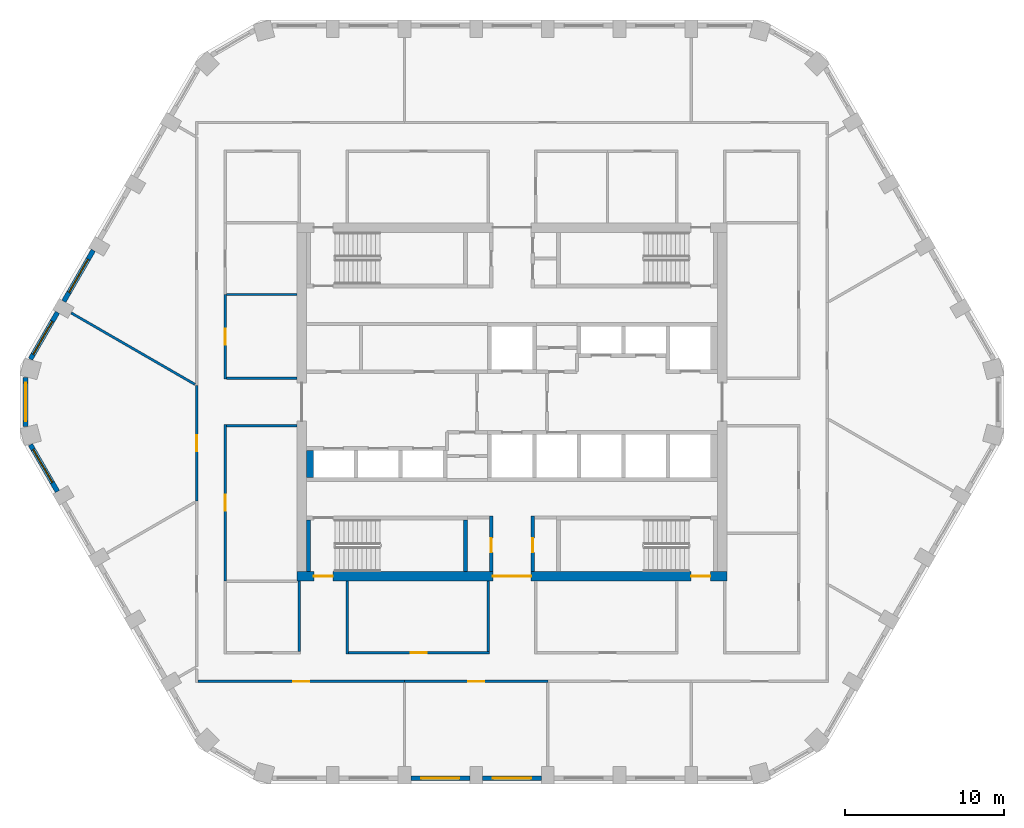
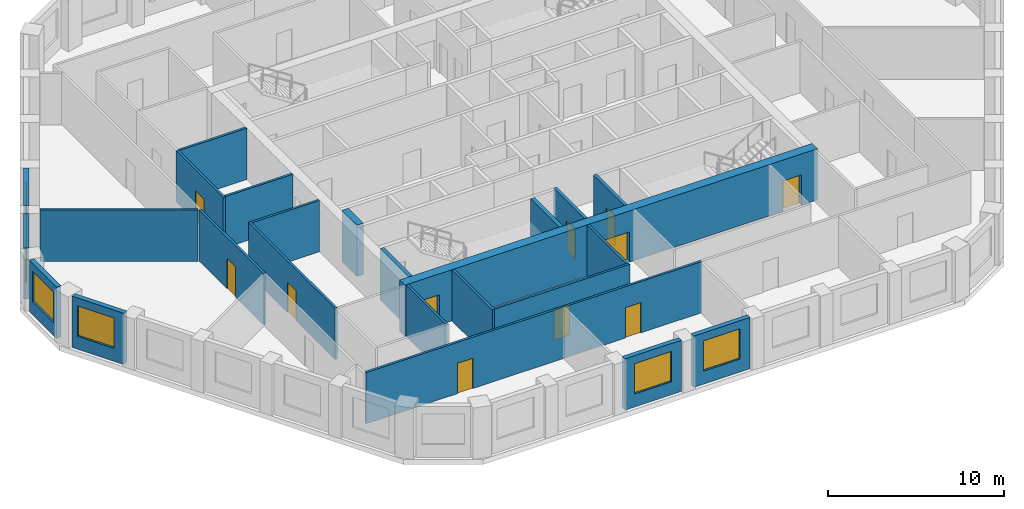
# One storey, part 2 of 9: 25 walls, 11 doors, 6 windows, 17 openings.
"""IFC4 building model written with IfcOpenShell, lengths in metres."""

from ifc_helpers import new_model, si_unit, direction, frame, frame_2d, origin, place, context, subcontext, project, spatial, polyline, rectangle, outline, extrude, material, layer, layer_set, type_object, element, fill, save


model = new_model("IFC4")

# Units and contexts
model_context = context("Model", 3, precision=1e-05, world=origin(), true_north=direction((0.0, 1.0)))
body_context = subcontext(model_context, "Body", "Model", "MODEL_VIEW")
ifc_project = project(units=[si_unit("LENGTHUNIT", "METRE"), si_unit("AREAUNIT", "SQUARE_METRE"), si_unit("VOLUMEUNIT", "CUBIC_METRE"), si_unit("PLANEANGLEUNIT", "RADIAN"), si_unit("MASSUNIT", "GRAM", prefix="KILO")], contexts=[model_context])

# Site, building, storey
site_placement = place(None, origin())
site = spatial("IfcSite", under=ifc_project, at=site_placement, CompositionType="ELEMENT")
building_placement = place(site_placement, origin())
building = spatial("IfcBuilding", under=site, at=building_placement, Name="Dhurran Vertical Campus", CompositionType="ELEMENT")
storey_placement = place(building_placement, frame((0.0, 0.0, 195.60009765625)))
storey = spatial("IfcBuildingStorey", under=building, at=storey_placement, Name="L48", CompositionType="ELEMENT", Elevation=195.60009765625)

# Wall, opening, window
ifc_material_1 = material(Name="Precast concrete C50/60", Category="concrete")
ifc_layer_1 = layer(ifc_material_1, 0.300048828125)
ifc_layer_set_1 = layer_set([ifc_layer_1], Name="Precast concrete C50/60")
wall_type_1 = type_object("IfcWallType", Name="Precast spandrel wall 300", PredefinedType="SOLIDWALL", material=ifc_layer_set_1)
wall_1_placement = place(storey_placement, frame((-6.349609375, -23.635498046875, 0.0), z_axis=(0.0, 0.0, 1.0), x_axis=(1.0, 0.0, 0.0)))
wall_1 = element("IfcWall", 1, at=wall_1_placement, inside=storey, type_object=wall_type_1, Name="EW1 L48.02", PredefinedType="SOLIDWALL", context=body_context, shape_type="SweptSolid", body=[
    extrude(rectangle(XDim=3.69921875, YDim=0.300048828125, at=frame_2d((1.849609375, 0.0))), origin(), (0.0, 0.0, 1.0), 3.5498046875),
])
opening_1_placement = place(wall_1_placement, frame((0.6494140625, 0.0, 0.89990234375)))
opening_1 = element("IfcOpeningElement", 2, at=opening_1_placement, cuts=wall_1, Name="Opening WT1", PredefinedType="OPENING", context=body_context, shape_type="SweptSolid", body=[
    extrude(rectangle(XDim=2.39990234375, YDim=2.10009765625, at=frame_2d((1.199951171875, 1.050048828125))), frame((0.0, 0.159912109375, 0.0), z_axis=(0.0, -1.0, 0.0), x_axis=(1.0, 0.0, 0.0)), (0.0, 0.0, 1.0), 0.320068359375),
])
ifc_material_2 = material(Name="Aluminium frame with solar-control glass", Category="aluminium")
window_type = type_object("IfcWindowType", Name="Punched window 2400 x 2100", PartitioningType="SINGLE_PANEL", PredefinedType="WINDOW", material=ifc_material_2)
window_1_placement = place(opening_1_placement, origin())
window_1 = element("IfcWindow", 3, at=window_1_placement, inside=storey, type_object=window_type, Name="WT1 L48.02", OverallHeight=2.10009765625, OverallWidth=2.39990234375, PartitioningType="SINGLE_PANEL", PredefinedType="WINDOW", context=body_context, shape_type="SweptSolid", body=[
    extrude(rectangle(XDim=2.39990234375, YDim=2.10009765625, at=frame_2d((1.199951171875, 1.050048828125))), frame((0.0, 0.030029296875, 0.0), z_axis=(0.0, -1.0, 0.0), x_axis=(1.0, 0.0, 0.0)), (0.0, 0.0, 1.0), 0.06005859375),
])
fill(opening_1, window_1)

wall_2_placement = place(storey_placement, frame((-1.849609375, -23.635498046875, 0.0), z_axis=(0.0, 0.0, 1.0), x_axis=(1.0, 0.0, 0.0)))
wall_2 = element("IfcWall", 4, at=wall_2_placement, inside=storey, type_object=wall_type_1, Name="EW1 L48.03", PredefinedType="SOLIDWALL", context=body_context, shape_type="SweptSolid", body=[
    extrude(rectangle(XDim=3.69921875, YDim=0.300048828125, at=frame_2d((1.849609375, 0.0))), origin(), (0.0, 0.0, 1.0), 3.5498046875),
])
opening_2_placement = place(wall_2_placement, frame((0.6494140625, 0.0, 0.89990234375)))
opening_2 = element("IfcOpeningElement", 5, at=opening_2_placement, cuts=wall_2, Name="Opening WT1", PredefinedType="OPENING", context=body_context, shape_type="SweptSolid", body=[
    extrude(rectangle(XDim=2.39990234375, YDim=2.10009765625, at=frame_2d((1.199951171875, 1.050048828125))), frame((0.0, 0.159912109375, 0.0), z_axis=(0.0, -1.0, 0.0), x_axis=(1.0, 0.0, 0.0)), (0.0, 0.0, 1.0), 0.320068359375),
])
window_2_placement = place(opening_2_placement, origin())
window_2 = element("IfcWindow", 6, at=window_2_placement, inside=storey, type_object=window_type, Name="WT1 L48.03", OverallHeight=2.10009765625, OverallWidth=2.39990234375, PartitioningType="SINGLE_PANEL", PredefinedType="WINDOW", context=body_context, shape_type="SweptSolid", body=[
    extrude(rectangle(XDim=2.39990234375, YDim=2.10009765625, at=frame_2d((1.199951171875, 1.050048828125))), frame((0.0, 0.030029296875, 0.0), z_axis=(0.0, -1.0, 0.0), x_axis=(1.0, 0.0, 0.0)), (0.0, 0.0, 1.0), 0.06005859375),
])
fill(opening_2, window_2)

wall_3_placement = place(storey_placement, frame((-26.294189453125, 9.5224609375, 0.0), z_axis=(0.0, 0.0, 1.0), x_axis=(-0.500029062817, -0.866008623709, 0.0)))
wall_3 = element("IfcWall", 7, at=wall_3_placement, inside=storey, type_object=wall_type_1, Name="EW1 L48.31", PredefinedType="SOLIDWALL", context=body_context, shape_type="SweptSolid", body=[
    extrude(rectangle(XDim=3.698974609375, YDim=0.300048828125, at=frame_2d((1.849609375, 0.0))), origin(), (0.0, 0.0, 1.0), 3.5498046875),
])
opening_3_placement = place(wall_3_placement, frame((0.6494140625, 0.0, 0.89990234375)))
opening_3 = element("IfcOpeningElement", 8, at=opening_3_placement, cuts=wall_3, Name="Opening WT1", PredefinedType="OPENING", context=body_context, shape_type="SweptSolid", body=[
    extrude(rectangle(XDim=2.39990234375, YDim=2.10009765625, at=frame_2d((1.199951171875, 1.050048828125))), frame((0.0, 0.159912109375, 0.0), z_axis=(0.0, -1.0, 0.0), x_axis=(1.0, 0.0, 0.0)), (0.0, 0.0, 1.0), 0.320068359375),
])
window_3_placement = place(opening_3_placement, origin())
window_3 = element("IfcWindow", 9, at=window_3_placement, inside=storey, type_object=window_type, Name="WT1 L48.31", OverallHeight=2.10009765625, OverallWidth=2.39990234375, PartitioningType="SINGLE_PANEL", PredefinedType="WINDOW", context=body_context, shape_type="SweptSolid", body=[
    extrude(rectangle(XDim=2.39990234375, YDim=2.10009765625, at=frame_2d((1.199951171875, 1.050048828125))), frame((0.0, 0.030029296875, 0.0), z_axis=(0.0, -1.0, 0.0), x_axis=(1.0, 0.0, 0.0)), (0.0, 0.0, 1.0), 0.06005859375),
])
fill(opening_3, window_3)

wall_4_placement = place(storey_placement, frame((-28.544189453125, 5.625244140625, 0.0), z_axis=(0.0, 0.0, 1.0), x_axis=(-0.500012868213, -0.866017974191, 0.0)))
wall_4 = element("IfcWall", 10, at=wall_4_placement, inside=storey, type_object=wall_type_1, Name="EW1 L48.32", PredefinedType="SOLIDWALL", context=body_context, shape_type="SweptSolid", body=[
    extrude(rectangle(XDim=3.39599609375, YDim=0.300048828125, at=frame_2d((1.697998046875, 0.0))), origin(), (0.0, 0.0, 1.0), 3.5498046875),
])
opening_4_placement = place(wall_4_placement, frame((0.6494140625, 0.0, 0.89990234375)))
opening_4 = element("IfcOpeningElement", 11, at=opening_4_placement, cuts=wall_4, Name="Opening WT1", PredefinedType="OPENING", context=body_context, shape_type="SweptSolid", body=[
    extrude(rectangle(XDim=2.39990234375, YDim=2.10009765625, at=frame_2d((1.199951171875, 1.050048828125))), frame((0.0, 0.159912109375, 0.0), z_axis=(0.0, -1.0, 0.0), x_axis=(1.0, 0.0, 0.0)), (0.0, 0.0, 1.0), 0.320068359375),
])
window_4_placement = place(opening_4_placement, origin())
window_4 = element("IfcWindow", 12, at=window_4_placement, inside=storey, type_object=window_type, Name="WT1 L48.32", OverallHeight=2.10009765625, OverallWidth=2.39990234375, PartitioningType="SINGLE_PANEL", PredefinedType="WINDOW", context=body_context, shape_type="SweptSolid", body=[
    extrude(rectangle(XDim=2.39990234375, YDim=2.10009765625, at=frame_2d((1.199951171875, 1.050048828125))), frame((0.0, 0.030029296875, 0.0), z_axis=(0.0, -1.0, 0.0), x_axis=(1.0, 0.0, 0.0)), (0.0, 0.0, 1.0), 0.06005859375),
])
fill(opening_4, window_4)

wall_5_placement = place(storey_placement, frame((-30.547119140625, 1.54638671875, 0.0), z_axis=(0.0, 0.0, 1.0), x_axis=(0.0, -1.0, 0.0)))
wall_5 = element("IfcWall", 13, at=wall_5_placement, inside=storey, type_object=wall_type_1, Name="EW1 L48.33", PredefinedType="SOLIDWALL", context=body_context, shape_type="SweptSolid", body=[
    extrude(rectangle(XDim=3.0927734375, YDim=0.300048828125, at=frame_2d((1.54638671875, 0.0))), origin(), (0.0, 0.0, 1.0), 3.5498046875),
])
opening_5_placement = place(wall_5_placement, frame((0.34619140625, 0.0, 0.89990234375)))
opening_5 = element("IfcOpeningElement", 14, at=opening_5_placement, cuts=wall_5, Name="Opening WT1", PredefinedType="OPENING", context=body_context, shape_type="SweptSolid", body=[
    extrude(rectangle(XDim=2.39990234375, YDim=2.10009765625, at=frame_2d((1.199951171875, 1.050048828125))), frame((0.0, 0.159912109375, 0.0), z_axis=(0.0, -1.0, 0.0), x_axis=(1.0, 0.0, 0.0)), (0.0, 0.0, 1.0), 0.320068359375),
])
window_5_placement = place(opening_5_placement, origin())
window_5 = element("IfcWindow", 15, at=window_5_placement, inside=storey, type_object=window_type, Name="WT1 L48.33", OverallHeight=2.10009765625, OverallWidth=2.39990234375, PartitioningType="SINGLE_PANEL", PredefinedType="WINDOW", context=body_context, shape_type="SweptSolid", body=[
    extrude(rectangle(XDim=2.39990234375, YDim=2.10009765625, at=frame_2d((1.199951171875, 1.050048828125))), frame((0.0, 0.030029296875, 0.0), z_axis=(0.0, -1.0, 0.0), x_axis=(1.0, 0.0, 0.0)), (0.0, 0.0, 1.0), 0.06005859375),
])
fill(opening_5, window_5)

wall_6_placement = place(storey_placement, frame((-30.2421875, -2.684326171875, 0.0), z_axis=(0.0, 0.0, 1.0), x_axis=(0.500012868213, -0.866017974191, 0.0)))
wall_6 = element("IfcWall", 16, at=wall_6_placement, inside=storey, type_object=wall_type_1, Name="EW1 L48.34", PredefinedType="SOLIDWALL", context=body_context, shape_type="SweptSolid", body=[
    extrude(rectangle(XDim=3.39599609375, YDim=0.300048828125, at=frame_2d((1.697998046875, 0.0))), origin(), (0.0, 0.0, 1.0), 3.5498046875),
])
opening_6_placement = place(wall_6_placement, frame((0.346435546875, 0.0, 0.89990234375)))
opening_6 = element("IfcOpeningElement", 17, at=opening_6_placement, cuts=wall_6, Name="Opening WT1", PredefinedType="OPENING", context=body_context, shape_type="SweptSolid", body=[
    extrude(rectangle(XDim=2.39990234375, YDim=2.10009765625, at=frame_2d((1.199951171875, 1.050048828125))), frame((0.0, 0.159912109375, 0.0), z_axis=(0.0, -1.0, 0.0), x_axis=(1.0, 0.0, 0.0)), (0.0, 0.0, 1.0), 0.320068359375),
])
window_6_placement = place(opening_6_placement, origin())
window_6 = element("IfcWindow", 18, at=window_6_placement, inside=storey, type_object=window_type, Name="WT1 L48.34", OverallHeight=2.10009765625, OverallWidth=2.39990234375, PartitioningType="SINGLE_PANEL", PredefinedType="WINDOW", context=body_context, shape_type="SweptSolid", body=[
    extrude(rectangle(XDim=2.39990234375, YDim=2.10009765625, at=frame_2d((1.199951171875, 1.050048828125))), frame((0.0, 0.030029296875, 0.0), z_axis=(0.0, -1.0, 0.0), x_axis=(1.0, 0.0, 0.0)), (0.0, 0.0, 1.0), 0.06005859375),
])
fill(opening_6, window_6)

# Wall, openings, doors
ifc_material_3 = material(Name="Concrete C50/60", Category="concrete")
ifc_layer_2 = layer(ifc_material_3, 0.60009765625)
ifc_layer_set_2 = layer_set([ifc_layer_2], Name="Concrete C50/60")
wall_type_2 = type_object("IfcWallType", Name="co-CORE-WALL-C2-600", PredefinedType="SHEAR", material=ifc_layer_set_2)
wall_7_placement = place(storey_placement, frame((-13.5, -10.949951171875, 0.0), z_axis=(0.0, 0.0, 1.0), x_axis=(1.0, 0.0, 0.0)))
wall_7 = element("IfcWall", 19, at=wall_7_placement, inside=storey, type_object=wall_type_2, Name="Core wall S L48", PredefinedType="SHEAR", context=body_context, shape_type="SweptSolid", body=[
    extrude(rectangle(XDim=27.0, YDim=0.60009765625, at=frame_2d((13.5, 0.0))), origin(), (0.0, 0.0, 1.0), 3.5498046875),
])
opening_7_placement = place(wall_7_placement, frame((12.300048828125, 0.0, 0.0)))
opening_7 = element("IfcOpeningElement", 20, at=opening_7_placement, cuts=wall_7, Name="Opening CV2", PredefinedType="OPENING", context=body_context, shape_type="SweptSolid", body=[
    extrude(rectangle(XDim=2.39990234375, YDim=2.10009765625, at=frame_2d((1.199951171875, 1.050048828125))), frame((0.0, 0.31005859375, 0.0), z_axis=(0.0, -1.0, 0.0), x_axis=(1.0, 0.0, 0.0)), (0.0, 0.0, 1.0), 0.6201171875),
])
opening_8_placement = place(wall_7_placement, frame((1.050048828125, 0.0, 0.0)))
opening_8 = element("IfcOpeningElement", 21, at=opening_8_placement, cuts=wall_7, Name="Opening XD3", PredefinedType="OPENING", context=body_context, shape_type="SweptSolid", body=[
    extrude(rectangle(XDim=1.199951171875, YDim=2.10009765625, at=frame_2d((0.60009765625, 1.050048828125))), frame((0.0, 0.31005859375, 0.0), z_axis=(0.0, -1.0, 0.0), x_axis=(1.0, 0.0, 0.0)), (0.0, 0.0, 1.0), 0.6201171875),
])
opening_9_placement = place(wall_7_placement, frame((24.75, 0.0, 0.0)))
opening_9 = element("IfcOpeningElement", 22, at=opening_9_placement, cuts=wall_7, Name="Opening XD4", PredefinedType="OPENING", context=body_context, shape_type="SweptSolid", body=[
    extrude(rectangle(XDim=1.199951171875, YDim=2.10009765625, at=frame_2d((0.60009765625, 1.050048828125))), frame((0.0, 0.31005859375, 0.0), z_axis=(0.0, -1.0, 0.0), x_axis=(1.0, 0.0, 0.0)), (0.0, 0.0, 1.0), 0.6201171875),
])
ifc_material_4 = material(Name="Fire-rated glazed door set")
door_type_1 = type_object("IfcDoorType", Name="co-D-LOBBY 2400x2100", OperationType="DOUBLE_DOOR_DOUBLE_SWING", PredefinedType="DOOR", material=ifc_material_4)
door_1_placement = place(opening_7_placement, origin())
door_1 = element("IfcDoor", 23, at=door_1_placement, inside=storey, type_object=door_type_1, Name="Core vestibule door S L48", OperationType="DOUBLE_DOOR_DOUBLE_SWING", OverallHeight=2.10009765625, OverallWidth=2.39990234375, PredefinedType="DOOR", context=body_context, shape_type="SweptSolid", body=[
    extrude(rectangle(XDim=2.39990234375, YDim=2.10009765625, at=frame_2d((1.199951171875, 1.050048828125))), frame((0.0, 0.02490234375, 0.0), z_axis=(0.0, -1.0, 0.0), x_axis=(1.0, 0.0, 0.0)), (0.0, 0.0, 1.0), 0.050048828125),
])
fill(opening_7, door_1)
ifc_material_5 = material(Name="Fire-rated steel door set", Category="steel")
door_type_2 = type_object("IfcDoorType", Name="co-D-STAIR-EXIT 1200x2100", OperationType="SINGLE_SWING_RIGHT", PredefinedType="DOOR", material=ifc_material_5)
door_2_placement = place(opening_8_placement, origin())
door_2 = element("IfcDoor", 24, at=door_2_placement, inside=storey, type_object=door_type_2, Name="Stair ST3 exit door L48", OperationType="SINGLE_SWING_RIGHT", OverallHeight=2.10009765625, OverallWidth=1.199951171875, PredefinedType="DOOR", context=body_context, shape_type="SweptSolid", body=[
    extrude(rectangle(XDim=1.199951171875, YDim=2.10009765625, at=frame_2d((0.60009765625, 1.050048828125))), frame((0.0, 0.02490234375, 0.0), z_axis=(0.0, -1.0, 0.0), x_axis=(1.0, 0.0, 0.0)), (0.0, 0.0, 1.0), 0.050048828125),
])
fill(opening_8, door_2)
door_3_placement = place(opening_9_placement, origin())
door_3 = element("IfcDoor", 25, at=door_3_placement, inside=storey, type_object=door_type_2, Name="Stair ST4 exit door L48", OperationType="SINGLE_SWING_RIGHT", OverallHeight=2.10009765625, OverallWidth=1.199951171875, PredefinedType="DOOR", context=body_context, shape_type="SweptSolid", body=[
    extrude(rectangle(XDim=1.199951171875, YDim=2.10009765625, at=frame_2d((0.60009765625, 1.050048828125))), frame((0.0, 0.02490234375, 0.0), z_axis=(0.0, -1.0, 0.0), x_axis=(1.0, 0.0, 0.0)), (0.0, 0.0, 1.0), 0.050048828125),
])
fill(opening_9, door_3)

# Wall, opening, door
ifc_material_6 = material(Name="Fire-rated masonry blockwork", Category="masonry")
ifc_layer_3 = layer(ifc_material_6, 0.199951171875)
ifc_layer_set_3 = layer_set([ifc_layer_3], Name="Fire-rated masonry blockwork")
wall_type_3 = type_object("IfcWallType", Name="co-FIRE-PARTITION-200", PredefinedType="PARTITIONING", material=ifc_layer_set_3)
wall_8_placement = place(storey_placement, frame((-1.300048828125, -10.64990234375, 0.0), z_axis=(0.0, 0.0, 1.0), x_axis=(0.0, 1.0, 0.0)))
wall_8 = element("IfcWall", 26, at=wall_8_placement, inside=storey, type_object=wall_type_3, Name="Core partition vest-SW L48", PredefinedType="PARTITIONING", context=body_context, shape_type="SweptSolid", body=[
    extrude(rectangle(XDim=3.5, YDim=0.199951171875, at=frame_2d((1.75, 0.0))), origin(), (0.0, 0.0, 1.0), 3.5498046875),
])
opening_10_placement = place(wall_8_placement, frame((1.199951171875, 0.0, 0.0)))
opening_10 = element("IfcOpeningElement", 27, at=opening_10_placement, cuts=wall_8, Name="Opening T14-C1", PredefinedType="OPENING", context=body_context, shape_type="SweptSolid", body=[
    extrude(rectangle(XDim=0.89990234375, YDim=2.10009765625, at=frame_2d((0.449951171875, 1.050048828125))), frame((0.0, 0.10986328125, 0.0), z_axis=(0.0, -1.0, 0.0), x_axis=(1.0, 0.0, 0.0)), (0.0, 0.0, 1.0), 0.219970703125),
])
ifc_material_7 = material(Name="Fire-rated timber door set", Category="wood")
door_type_3 = type_object("IfcDoorType", Name="co-D-ROOM 900x2100", OperationType="SINGLE_SWING_LEFT", PredefinedType="DOOR", material=ifc_material_7)
door_4_placement = place(opening_10_placement, origin())
door_4 = element("IfcDoor", 28, at=door_4_placement, inside=storey, type_object=door_type_3, Name="Fire equipment store door L48", OperationType="SINGLE_SWING_LEFT", OverallHeight=2.10009765625, OverallWidth=0.89990234375, PredefinedType="DOOR", context=body_context, shape_type="SweptSolid", body=[
    extrude(rectangle(XDim=0.89990234375, YDim=2.10009765625, at=frame_2d((0.449951171875, 1.050048828125))), frame((0.0, 0.02490234375, 0.0), z_axis=(0.0, -1.0, 0.0), x_axis=(1.0, 0.0, 0.0)), (0.0, 0.0, 1.0), 0.050048828125),
])
fill(opening_10, door_4)

wall_9_placement = place(storey_placement, frame((1.300048828125, -10.64990234375, 0.0), z_axis=(0.0, 0.0, 1.0), x_axis=(0.0, 1.0, 0.0)))
wall_9 = element("IfcWall", 29, at=wall_9_placement, inside=storey, type_object=wall_type_3, Name="Core partition vest-SE L48", PredefinedType="PARTITIONING", context=body_context, shape_type="SweptSolid", body=[
    extrude(rectangle(XDim=3.5, YDim=0.199951171875, at=frame_2d((1.75, 0.0))), origin(), (0.0, 0.0, 1.0), 3.5498046875),
])
opening_11_placement = place(wall_9_placement, frame((1.199951171875, 0.0, 0.0)))
opening_11 = element("IfcOpeningElement", 30, at=opening_11_placement, cuts=wall_9, Name="Opening T14-C2", PredefinedType="OPENING", context=body_context, shape_type="SweptSolid", body=[
    extrude(rectangle(XDim=0.89990234375, YDim=2.10009765625, at=frame_2d((0.449951171875, 1.050048828125))), frame((0.0, 0.10986328125, 0.0), z_axis=(0.0, -1.0, 0.0), x_axis=(1.0, 0.0, 0.0)), (0.0, 0.0, 1.0), 0.219970703125),
])
door_5_placement = place(opening_11_placement, origin())
door_5 = element("IfcDoor", 31, at=door_5_placement, inside=storey, type_object=door_type_3, Name="Print room door L48", OperationType="SINGLE_SWING_LEFT", OverallHeight=2.10009765625, OverallWidth=0.89990234375, PredefinedType="DOOR", context=body_context, shape_type="SweptSolid", body=[
    extrude(rectangle(XDim=0.89990234375, YDim=2.10009765625, at=frame_2d((0.449951171875, 1.050048828125))), frame((0.0, 0.02490234375, 0.0), z_axis=(0.0, -1.0, 0.0), x_axis=(1.0, 0.0, 0.0)), (0.0, 0.0, 1.0), 0.050048828125),
])
fill(opening_11, door_5)

# Walls
ifc_material_8 = material(Name="Concrete C50/60", Category="concrete")
ifc_layer_4 = layer(ifc_material_8, 0.25)
ifc_layer_set_4 = layer_set([ifc_layer_4], Name="Concrete C50/60")
wall_type_4 = type_object("IfcWallType", Name="co-SHAFT-MASS-250", PredefinedType="SHEAR", material=ifc_layer_set_4)
wall_10_placement = place(storey_placement, origin())
element("IfcWall", 32, at=wall_10_placement, inside=storey, type_object=wall_type_4, Name="Lift shaft wall S L48 3", PredefinedType="SHEAR", context=body_context, shape_type="SweptSolid", body=[
    extrude(outline(polyline([(-12.89990234375, -4.75), (-12.47509765625, -4.75), (-12.47509765625, -3.050048828125), (-12.89990234375, -3.050048828125), (-12.89990234375, -4.75)])), origin(), (0.0, 0.0, 1.0), 3.5498046875),
])
ifc_material_9 = material(Name="Concrete C40/50", Category="concrete")
ifc_layer_5 = layer(ifc_material_9, 0.25)
ifc_layer_set_5 = layer_set([ifc_layer_5], Name="Concrete C40/50")
wall_type_5 = type_object("IfcWallType", Name="co-STAIR-WALL-250", PredefinedType="SHEAR", material=ifc_layer_set_5)
for number, where, z_axis, x_axis, name in (
    (33, (-12.77490234375, -10.64990234375, 0.0), (0.0, 0.0, 1.0), (0.0, 1.0, 0.0), "Stair ST3 enclosure wall L48"),
    (34, (-2.925048828125, -10.64990234375, 0.0), (0.0, 0.0, 1.0), (0.0, 1.0, 0.0), "Stair ST3 enclosure wall L48"),
):
    element("IfcWall", number, at=place(storey_placement, frame(where, z_axis=z_axis, x_axis=x_axis)), inside=storey, type_object=wall_type_5, Name=name, PredefinedType="SHEAR", context=body_context, shape_type="SweptSolid", body=[
        extrude(rectangle(XDim=3.25, YDim=0.25, at=frame_2d((1.625, 0.0))), origin(), (0.0, 0.0, 1.0), 3.5498046875),
    ])

# Wall, opening, door
ifc_material_10 = material(Name="Gypsum board corridor wall on steel studs", Category="steel")
ifc_layer_6 = layer(ifc_material_10, 0.14990234375)
ifc_layer_set_6 = layer_set([ifc_layer_6], Name="Gypsum board corridor wall on steel studs")
wall_type_6 = type_object("IfcWallType", Name="fl-CW-150 corridor wall", PredefinedType="PARTITIONING", material=ifc_layer_set_6)
wall_11_placement = place(storey_placement, frame((-19.72509765625, -17.550048828125, 0.0), z_axis=(0.0, 0.0, 1.0), x_axis=(1.0, 0.0, 0.0)))
wall_11 = element("IfcWall", 35, at=wall_11_placement, inside=storey, type_object=wall_type_6, Name="Partition 48-06", PredefinedType="PARTITIONING", context=body_context, shape_type="SweptSolid", body=[
    extrude(rectangle(XDim=12.97509765625, YDim=0.14990234375, at=frame_2d((6.487548828125, 0.0))), origin(), (0.0, 0.0, 1.0), 3.5498046875),
])
opening_12_placement = place(wall_11_placement, frame((5.987548828125, 0.0, 0.0)))
opening_12 = element("IfcOpeningElement", 36, at=opening_12_placement, cuts=wall_11, Name="Opening T14.09", PredefinedType="OPENING", context=body_context, shape_type="SweptSolid", body=[
    extrude(rectangle(XDim=1.0, YDim=2.10009765625, at=frame_2d((0.5, 1.050048828125))), frame((0.0, 0.0849609375, 0.0), z_axis=(0.0, -1.0, 0.0), x_axis=(1.0, 0.0, 0.0)), (0.0, 0.0, 1.0), 0.169921875),
])
ifc_material_11 = material(Name="Solid-core timber door set, fire-rated", Category="wood")
door_type_4 = type_object("IfcDoorType", Name="fl-D-1000x2100", OperationType="SINGLE_SWING_LEFT", PredefinedType="DOOR", material=ifc_material_11)
door_6_placement = place(opening_12_placement, origin())
door_6 = element("IfcDoor", 37, at=door_6_placement, inside=storey, type_object=door_type_4, Name="Door 48.09", OperationType="SINGLE_SWING_RIGHT", OverallHeight=2.10009765625, OverallWidth=1.0, PredefinedType="DOOR", context=body_context, shape_type="SweptSolid", body=[
    extrude(rectangle(XDim=1.0, YDim=2.10009765625, at=frame_2d((0.5, 1.050048828125))), frame((0.0, 0.02490234375, 0.0), z_axis=(0.0, -1.0, 0.0), x_axis=(1.0, 0.0, 0.0)), (0.0, 0.0, 1.0), 0.050048828125),
])
fill(opening_12, door_6)

wall_12_placement = place(storey_placement, frame((-19.800048828125, 1.0390625, 0.0), z_axis=(0.0, 0.0, 1.0), x_axis=(0.0, -1.0, 0.0)))
wall_12 = element("IfcWall", 38, at=wall_12_placement, inside=storey, type_object=wall_type_6, Name="Partition 48-08", PredefinedType="PARTITIONING", context=body_context, shape_type="SweptSolid", body=[
    extrude(rectangle(XDim=7.274169921875, YDim=0.14990234375, at=frame_2d((3.63720703125, 0.0))), origin(), (0.0, 0.0, 1.0), 3.5498046875),
])
opening_13_placement = place(wall_12_placement, frame((3.136962890625, 0.0, 0.0)))
opening_13 = element("IfcOpeningElement", 39, at=opening_13_placement, cuts=wall_12, Name="Opening T14.01", PredefinedType="OPENING", context=body_context, shape_type="SweptSolid", body=[
    extrude(rectangle(XDim=1.0, YDim=2.10009765625, at=frame_2d((0.5, 1.050048828125))), frame((0.0, 0.0849609375, 0.0), z_axis=(0.0, -1.0, 0.0), x_axis=(1.0, 0.0, 0.0)), (0.0, 0.0, 1.0), 0.169921875),
])
door_7_placement = place(opening_13_placement, origin())
door_7 = element("IfcDoor", 40, at=door_7_placement, inside=storey, type_object=door_type_4, Name="Door 48.01", OperationType="SINGLE_SWING_RIGHT", OverallHeight=2.10009765625, OverallWidth=1.0, PredefinedType="DOOR", context=body_context, shape_type="SweptSolid", body=[
    extrude(rectangle(XDim=1.0, YDim=2.10009765625, at=frame_2d((0.5, 1.050048828125))), frame((0.0, 0.02490234375, 0.0), z_axis=(0.0, -1.0, 0.0), x_axis=(1.0, 0.0, 0.0)), (0.0, 0.0, 1.0), 0.050048828125),
])
fill(opening_13, door_7)

wall_13_placement = place(storey_placement, frame((-18.0, -11.25, 0.0), z_axis=(0.0, 0.0, 1.0), x_axis=(0.0, 1.0, 0.0)))
wall_13 = element("IfcWall", 41, at=wall_13_placement, inside=storey, type_object=wall_type_6, Name="Partition 48-14", PredefinedType="PARTITIONING", context=body_context, shape_type="SweptSolid", body=[
    extrude(rectangle(XDim=9.824951171875, YDim=0.14990234375, at=frame_2d((4.91259765625, 0.0))), origin(), (0.0, 0.0, 1.0), 3.5498046875),
])
opening_14_placement = place(wall_13_placement, frame((4.41259765625, 0.0, 0.0)))
opening_14 = element("IfcOpeningElement", 42, at=opening_14_placement, cuts=wall_13, Name="Opening T14.04", PredefinedType="OPENING", context=body_context, shape_type="SweptSolid", body=[
    extrude(rectangle(XDim=1.0, YDim=2.10009765625, at=frame_2d((0.5, 1.050048828125))), frame((0.0, 0.0849609375, 0.0), z_axis=(0.0, -1.0, 0.0), x_axis=(1.0, 0.0, 0.0)), (0.0, 0.0, 1.0), 0.169921875),
])
door_8_placement = place(opening_14_placement, origin())
door_8 = element("IfcDoor", 43, at=door_8_placement, inside=storey, type_object=door_type_4, Name="Door 48.04", OperationType="SINGLE_SWING_RIGHT", OverallHeight=2.10009765625, OverallWidth=1.0, PredefinedType="DOOR", context=body_context, shape_type="SweptSolid", body=[
    extrude(rectangle(XDim=1.0, YDim=2.10009765625, at=frame_2d((0.5, 1.050048828125))), frame((0.0, 0.02490234375, 0.0), z_axis=(0.0, -1.0, 0.0), x_axis=(1.0, 0.0, 0.0)), (0.0, 0.0, 1.0), 0.050048828125),
])
fill(opening_14, door_8)

# Wall
wall_14_placement = place(storey_placement, frame((-17.925048828125, -1.5, 0.0), z_axis=(0.0, 0.0, 1.0), x_axis=(1.0, 0.0, 0.0)))
element("IfcWall", 44, at=wall_14_placement, inside=storey, type_object=wall_type_6, Name="Partition 48-16", PredefinedType="PARTITIONING", context=body_context, shape_type="SweptSolid", body=[
    extrude(rectangle(XDim=4.425048828125, YDim=0.14990234375, at=frame_2d((2.21240234375, 0.0))), origin(), (0.0, 0.0, 1.0), 3.5498046875),
])

# Wall, opening, door
wall_15_placement = place(storey_placement, frame((-18.0, 1.425048828125, 0.0), z_axis=(0.0, 0.0, 1.0), x_axis=(0.0, 1.0, 0.0)))
wall_15 = element("IfcWall", 45, at=wall_15_placement, inside=storey, type_object=wall_type_6, Name="Partition 48-17", PredefinedType="PARTITIONING", context=body_context, shape_type="SweptSolid", body=[
    extrude(rectangle(XDim=5.324951171875, YDim=0.14990234375, at=frame_2d((2.66259765625, 0.0))), origin(), (0.0, 0.0, 1.0), 3.5498046875),
])
opening_15_placement = place(wall_15_placement, frame((2.16259765625, 0.0, 0.0)))
opening_15 = element("IfcOpeningElement", 46, at=opening_15_placement, cuts=wall_15, Name="Opening T14.05", PredefinedType="OPENING", context=body_context, shape_type="SweptSolid", body=[
    extrude(rectangle(XDim=1.0, YDim=2.10009765625, at=frame_2d((0.5, 1.050048828125))), frame((0.0, 0.0849609375, 0.0), z_axis=(0.0, -1.0, 0.0), x_axis=(1.0, 0.0, 0.0)), (0.0, 0.0, 1.0), 0.169921875),
])
door_9_placement = place(opening_15_placement, origin())
door_9 = element("IfcDoor", 47, at=door_9_placement, inside=storey, type_object=door_type_4, Name="Door 48.05", OperationType="SINGLE_SWING_LEFT", OverallHeight=2.10009765625, OverallWidth=1.0, PredefinedType="DOOR", context=body_context, shape_type="SweptSolid", body=[
    extrude(rectangle(XDim=1.0, YDim=2.10009765625, at=frame_2d((0.5, 1.050048828125))), frame((0.0, 0.02490234375, 0.0), z_axis=(0.0, -1.0, 0.0), x_axis=(1.0, 0.0, 0.0)), (0.0, 0.0, 1.0), 0.050048828125),
])
fill(opening_15, door_9)

# Walls
for number, where, z_axis, x_axis, name in (
    (48, (-13.5, 1.5, 0.0), (0.0, 0.0, 1.0), (-1.0, 0.0, 0.0), "Partition 48-18"),
    (49, (-13.35009765625, -11.25, 0.0), (0.0, 0.0, 1.0), (0.0, -1.0, 0.0), "Partition 48-24"),
):
    element("IfcWall", number, at=place(storey_placement, frame(where, z_axis=z_axis, x_axis=x_axis)), inside=storey, type_object=wall_type_6, Name=name, PredefinedType="PARTITIONING", context=body_context, shape_type="SweptSolid", body=[
        extrude(rectangle(XDim=4.425048828125, YDim=0.14990234375, at=frame_2d((2.21240234375, 0.0))), origin(), (0.0, 0.0, 1.0), 3.5498046875),
    ])
wall_16_placement = place(storey_placement, frame((-10.35009765625, -15.824951171875, 0.0), z_axis=(0.0, 0.0, 1.0), x_axis=(0.0, 1.0, 0.0)))
element("IfcWall", 50, at=wall_16_placement, inside=storey, type_object=wall_type_6, Name="Partition 48-26", PredefinedType="PARTITIONING", context=body_context, shape_type="SweptSolid", body=[
    extrude(rectangle(XDim=4.574951171875, YDim=0.14990234375, at=frame_2d((2.28759765625, 0.0))), origin(), (0.0, 0.0, 1.0), 3.5498046875),
])

# Wall, opening, door
wall_17_placement = place(storey_placement, frame((-1.425048828125, -15.75, 0.0), z_axis=(0.0, 0.0, 1.0), x_axis=(-1.0, 0.0, 0.0)))
wall_17 = element("IfcWall", 51, at=wall_17_placement, inside=storey, type_object=wall_type_6, Name="Partition 48-27", PredefinedType="PARTITIONING", context=body_context, shape_type="SweptSolid", body=[
    extrude(rectangle(XDim=8.849853515625, YDim=0.14990234375, at=frame_2d((4.4248046875, 0.0))), origin(), (0.0, 0.0, 1.0), 3.5498046875),
])
opening_16_placement = place(wall_17_placement, frame((3.925048828125, 0.0, 0.0)))
opening_16 = element("IfcOpeningElement", 52, at=opening_16_placement, cuts=wall_17, Name="Opening T14.11", PredefinedType="OPENING", context=body_context, shape_type="SweptSolid", body=[
    extrude(rectangle(XDim=1.0, YDim=2.10009765625, at=frame_2d((0.5, 1.050048828125))), frame((0.0, 0.0849609375, 0.0), z_axis=(0.0, -1.0, 0.0), x_axis=(1.0, 0.0, 0.0)), (0.0, 0.0, 1.0), 0.169921875),
])
door_10_placement = place(opening_16_placement, origin())
door_10 = element("IfcDoor", 53, at=door_10_placement, inside=storey, type_object=door_type_4, Name="Door 48.11", OperationType="SINGLE_SWING_RIGHT", OverallHeight=2.10009765625, OverallWidth=1.0, PredefinedType="DOOR", context=body_context, shape_type="SweptSolid", body=[
    extrude(rectangle(XDim=1.0, YDim=2.10009765625, at=frame_2d((0.5, 1.050048828125))), frame((0.0, 0.02490234375, 0.0), z_axis=(0.0, -1.0, 0.0), x_axis=(1.0, 0.0, 0.0)), (0.0, 0.0, 1.0), 0.050048828125),
])
fill(opening_16, door_10)

wall_18_placement = place(storey_placement, frame((-6.75, -17.550048828125, 0.0), z_axis=(0.0, 0.0, 1.0), x_axis=(1.0, 0.0, 0.0)))
wall_18 = element("IfcWall", 54, at=wall_18_placement, inside=storey, type_object=wall_type_6, Name="Partition 48-31", PredefinedType="PARTITIONING", context=body_context, shape_type="SweptSolid", body=[
    extrude(rectangle(XDim=9.0, YDim=0.14990234375, at=frame_2d((4.5, 0.0))), origin(), (0.0, 0.0, 1.0), 3.5498046875),
])
opening_17_placement = place(wall_18_placement, frame((4.0, 0.0, 0.0)))
opening_17 = element("IfcOpeningElement", 55, at=opening_17_placement, cuts=wall_18, Name="Opening T14.13", PredefinedType="OPENING", context=body_context, shape_type="SweptSolid", body=[
    extrude(rectangle(XDim=1.0, YDim=2.10009765625, at=frame_2d((0.5, 1.050048828125))), frame((0.0, 0.0849609375, 0.0), z_axis=(0.0, -1.0, 0.0), x_axis=(1.0, 0.0, 0.0)), (0.0, 0.0, 1.0), 0.169921875),
])
door_11_placement = place(opening_17_placement, origin())
door_11 = element("IfcDoor", 56, at=door_11_placement, inside=storey, type_object=door_type_4, Name="Door 48.13", OperationType="SINGLE_SWING_LEFT", OverallHeight=2.10009765625, OverallWidth=1.0, PredefinedType="DOOR", context=body_context, shape_type="SweptSolid", body=[
    extrude(rectangle(XDim=1.0, YDim=2.10009765625, at=frame_2d((0.5, 1.050048828125))), frame((0.0, 0.02490234375, 0.0), z_axis=(0.0, -1.0, 0.0), x_axis=(1.0, 0.0, 0.0)), (0.0, 0.0, 1.0), 0.050048828125),
])
fill(opening_17, door_11)

# Walls
wall_19_placement = place(storey_placement, frame((-1.5, -11.25, 0.0), z_axis=(0.0, 0.0, 1.0), x_axis=(0.0, -1.0, 0.0)))
element("IfcWall", 57, at=wall_19_placement, inside=storey, type_object=wall_type_6, Name="Partition 48-34", PredefinedType="PARTITIONING", context=body_context, shape_type="SweptSolid", body=[
    extrude(rectangle(XDim=4.425048828125, YDim=0.14990234375, at=frame_2d((2.21240234375, 0.0))), origin(), (0.0, 0.0, 1.0), 3.5498046875),
])
ifc_material_12 = material(Name="Gypsum board partition on steel studs", Category="steel")
ifc_layer_7 = layer(ifc_material_12, 0.14990234375)
ifc_layer_set_7 = layer_set([ifc_layer_7], Name="Gypsum board partition on steel studs")
wall_type_7 = type_object("IfcWallType", Name="fl-PW-150 fixed partition", PredefinedType="PARTITIONING", material=ifc_layer_set_7)
wall_20_placement = place(storey_placement, frame((-27.677001953125, 5.587158203125, 0.0), z_axis=(0.0, 0.0, 1.0), x_axis=(0.866007370051, -0.500031234042, 0.0)))
element("IfcWall", 58, at=wall_20_placement, inside=storey, type_object=wall_type_7, Name="Partition 48-01", PredefinedType="PARTITIONING", context=body_context, shape_type="SweptSolid", body=[
    extrude(rectangle(XDim=8.9658203125, YDim=0.14990234375, at=frame_2d((4.48291015625, 0.0))), origin(), (0.0, 0.0, 1.0), 3.5498046875),
])
wall_21_placement = place(storey_placement, frame((-17.925048828125, 6.75, 0.0), z_axis=(0.0, 0.0, 1.0), x_axis=(1.0, 0.0, 0.0)))
element("IfcWall", 59, at=wall_21_placement, inside=storey, type_object=wall_type_7, Name="Partition 48-20", PredefinedType="PARTITIONING", context=body_context, shape_type="SweptSolid", body=[
    extrude(rectangle(XDim=4.425048828125, YDim=0.14990234375, at=frame_2d((2.21240234375, 0.0))), origin(), (0.0, 0.0, 1.0), 3.5498046875),
])

save(model, "model.ifc")
